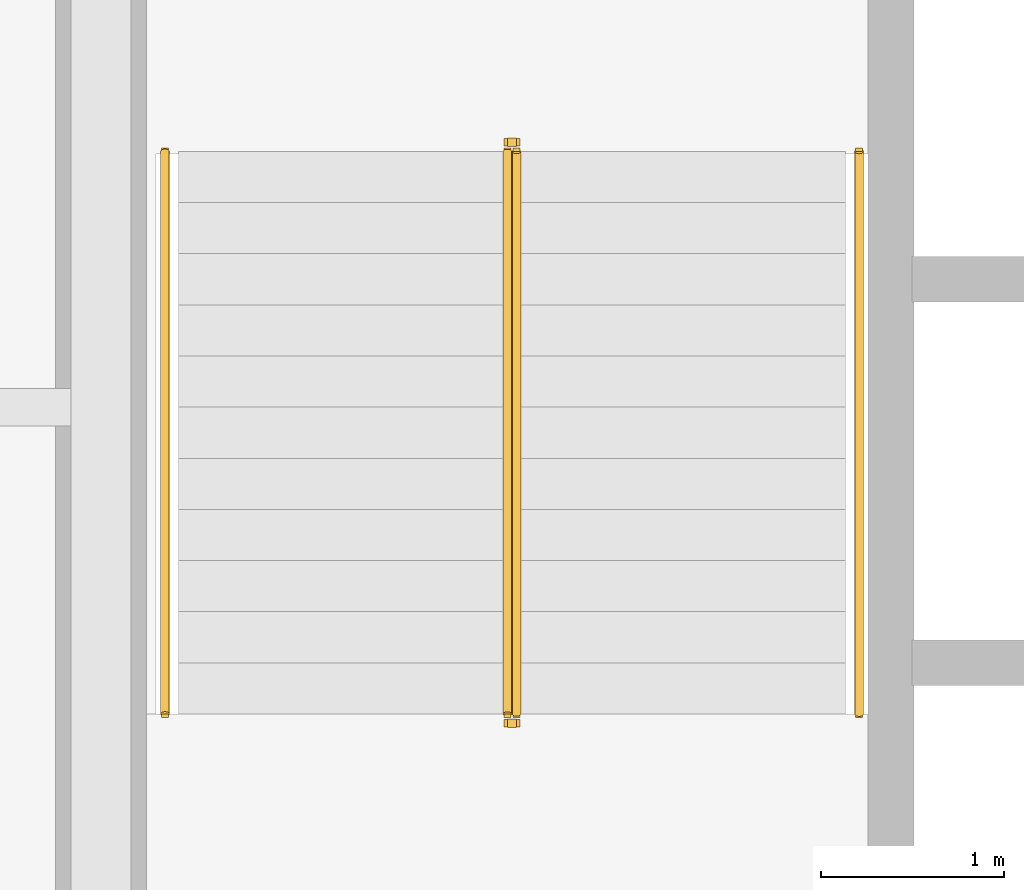
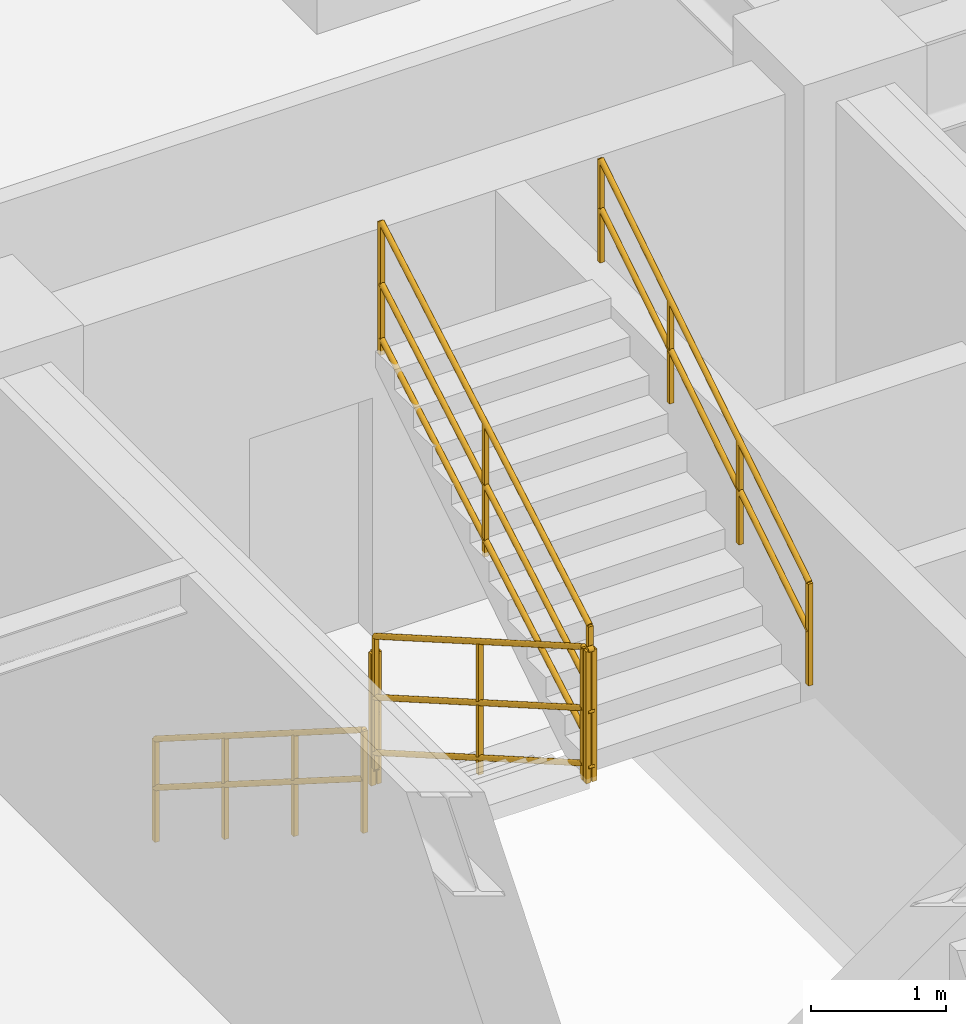
# One storey, part 10 of 10: 6 railings.
"""IFC4 building model written with IfcOpenShell, lengths in metres."""

from ifc_helpers import new_model, entity, si_unit, converted_unit, direction, frame, origin_with_axes, origin_2d_with_axis, place, context, subcontext, project, spatial, rectangle, circle, extrude, material, type_object, element, save


model = new_model("IFC4")

# Units and contexts
model_context = context("Model", 3, precision=1e-05, world=origin_with_axes(), true_north=direction((0.0, 1.0)))
body_context = subcontext(model_context, "Body", "Model", "MODEL_VIEW")
ifc_project = project(units=[si_unit("LENGTHUNIT", "METRE"), si_unit("AREAUNIT", "SQUARE_METRE"), si_unit("VOLUMEUNIT", "CUBIC_METRE"), converted_unit("PLANEANGLEUNIT", "DEGREE", entity("IfcPlaneAngleMeasure", 0.017453292519943295), si_unit("PLANEANGLEUNIT", "RADIAN"), dimensions=[0, 0, 0, 0, 0, 0, 0]), si_unit("MASSUNIT", "GRAM", prefix="KILO"), si_unit("THERMODYNAMICTEMPERATUREUNIT", "KELVIN")], contexts=[model_context])

# Site, building, storey
site_placement = place(None, origin_with_axes())
site = spatial("IfcSite", under=ifc_project, at=site_placement, CompositionType="ELEMENT")
building_placement = place(site_placement, origin_with_axes())
building = spatial("IfcBuilding", under=site, at=building_placement, Name="Varnlund Millrace Tower", CompositionType="ELEMENT")
storey_placement = place(building_placement, frame((0.0, 0.0, 129.0), z_axis=(0.0, 0.0, 1.0), x_axis=(1.0, 0.0, 0.0)))
storey = spatial("IfcBuildingStorey", under=building, at=storey_placement, Name="L31", CompositionType="ELEMENT", Elevation=129.0)

# Railings
ifc_material_1 = material(Name="Painted steel stair well balustrade guard", Category="steel")
railing_type_1 = type_object("IfcRailingType", Name="Type-StairGuard-1150", PredefinedType="GUARDRAIL", material=ifc_material_1)
railing_1_placement = place(storey_placement, frame((0.0, 0.0, -129.0), z_axis=(0.0, 0.0, 1.0), x_axis=(1.0, 0.0, 0.0)))
element("IfcRailing", 1, at=railing_1_placement, inside=storey, type_object=railing_type_1, Name="Type-StairGuard-1150", PredefinedType="GUARDRAIL", context=body_context, shape_type="SweptSolid", body=[
    extrude(circle(Radius=0.024, at=origin_2d_with_axis()), frame((13.625, 35.9, 130.327273), z_axis=(0.0, -0.866696, 0.498836), x_axis=(1.0, 0.0, 0.0)), (0.0, 0.0, 1.0), 3.553725),
    extrude(circle(Radius=0.024, at=origin_2d_with_axis()), frame((13.625, 35.9, 129.277273), z_axis=(0.0, -0.866696, 0.498836), x_axis=(1.0, 0.0, 0.0)), (0.0, 0.0, 1.0), 3.553725),
    extrude(circle(Radius=0.024, at=origin_2d_with_axis()), frame((13.625, 35.9, 129.775273), z_axis=(0.0, -0.866696, 0.498836), x_axis=(1.0, 0.0, 0.0)), (0.0, 0.0, 1.0), 3.553725),
    extrude(rectangle(XDim=0.04, YDim=0.04, at=origin_2d_with_axis()), frame((13.625, 35.9, 129.137273), z_axis=(0.0, 0.0, 1.0), x_axis=(1.0, 0.0, 0.0)), (0.0, 0.0, 1.0), 1.19),
    extrude(rectangle(XDim=0.04, YDim=0.04, at=origin_2d_with_axis()), frame((13.625, 34.36, 130.023637), z_axis=(0.0, 0.0, 1.0), x_axis=(1.0, 0.0, 0.0)), (0.0, 0.0, 1.0), 1.19),
    extrude(rectangle(XDim=0.04, YDim=0.04, at=origin_2d_with_axis()), frame((13.625, 32.82, 130.91), z_axis=(0.0, 0.0, 1.0), x_axis=(1.0, 0.0, 0.0)), (0.0, 0.0, 1.0), 1.19),
])
railing_2_placement = place(storey_placement, frame((0.0, 0.0, -129.0), z_axis=(0.0, 0.0, 1.0), x_axis=(1.0, 0.0, 0.0)))
element("IfcRailing", 2, at=railing_2_placement, inside=storey, type_object=railing_type_1, Name="Type-StairGuard-1150", PredefinedType="GUARDRAIL", context=body_context, shape_type="SweptSolid", body=[
    extrude(circle(Radius=0.024, at=origin_2d_with_axis()), frame((13.675, 32.77, 132.1), z_axis=(-1.0, 0.0, 0.0), x_axis=(0.0, -1.0, 0.0)), (0.0, 0.0, 1.0), 0.05),
    extrude(circle(Radius=0.024, at=origin_2d_with_axis()), frame((13.675, 32.77, 131.05), z_axis=(-1.0, 0.0, 0.0), x_axis=(0.0, -1.0, 0.0)), (0.0, 0.0, 1.0), 0.05),
    extrude(circle(Radius=0.024, at=origin_2d_with_axis()), frame((13.675, 32.77, 131.548), z_axis=(-1.0, 0.0, 0.0), x_axis=(0.0, -1.0, 0.0)), (0.0, 0.0, 1.0), 0.05),
    extrude(rectangle(XDim=0.04, YDim=0.04, at=origin_2d_with_axis()), frame((13.675, 32.77, 130.91), z_axis=(0.0, 0.0, 1.0), x_axis=(1.0, 0.0, 0.0)), (0.0, 0.0, 1.0), 1.19),
    extrude(rectangle(XDim=0.04, YDim=0.04, at=origin_2d_with_axis()), frame((13.625, 32.77, 130.91), z_axis=(0.0, 0.0, 1.0), x_axis=(1.0, 0.0, 0.0)), (0.0, 0.0, 1.0), 1.19),
])
railing_3_placement = place(storey_placement, frame((0.0, 0.0, -129.0), z_axis=(0.0, 0.0, 1.0), x_axis=(1.0, 0.0, 0.0)))
element("IfcRailing", 3, at=railing_3_placement, inside=storey, type_object=railing_type_1, Name="Type-StairGuard-1150", PredefinedType="GUARDRAIL", context=body_context, shape_type="SweptSolid", body=[
    extrude(circle(Radius=0.024, at=origin_2d_with_axis()), frame((13.675, 32.82, 132.277273), z_axis=(0.0, 0.866696, 0.498836), x_axis=(-1.0, 0.0, 0.0)), (0.0, 0.0, 1.0), 3.553725),
    extrude(circle(Radius=0.024, at=origin_2d_with_axis()), frame((13.675, 32.82, 131.227273), z_axis=(0.0, 0.866696, 0.498836), x_axis=(-1.0, 0.0, 0.0)), (0.0, 0.0, 1.0), 3.553725),
    extrude(circle(Radius=0.024, at=origin_2d_with_axis()), frame((13.675, 32.82, 131.725273), z_axis=(0.0, 0.866696, 0.498836), x_axis=(-1.0, 0.0, 0.0)), (0.0, 0.0, 1.0), 3.553725),
    extrude(rectangle(XDim=0.04, YDim=0.04, at=origin_2d_with_axis()), frame((13.675, 32.82, 131.087273), z_axis=(0.0, 0.0, 1.0), x_axis=(1.0, 0.0, 0.0)), (0.0, 0.0, 1.0), 1.19),
    extrude(rectangle(XDim=0.04, YDim=0.04, at=origin_2d_with_axis()), frame((13.675, 34.36, 131.973637), z_axis=(0.0, 0.0, 1.0), x_axis=(1.0, 0.0, 0.0)), (0.0, 0.0, 1.0), 1.19),
    extrude(rectangle(XDim=0.04, YDim=0.04, at=origin_2d_with_axis()), frame((13.675, 35.9, 132.86), z_axis=(0.0, 0.0, 1.0), x_axis=(1.0, 0.0, 0.0)), (0.0, 0.0, 1.0), 1.19),
])
railing_4_placement = place(storey_placement, frame((0.0, 0.0, -129.0), z_axis=(0.0, 0.0, 1.0), x_axis=(1.0, 0.0, 0.0)))
element("IfcRailing", 4, at=railing_4_placement, inside=storey, type_object=railing_type_1, Name="Type-StairGuard-1150", PredefinedType="GUARDRAIL", context=body_context, shape_type="SweptSolid", body=[
    extrude(circle(Radius=0.024, at=origin_2d_with_axis()), frame((13.675, 35.95, 130.15), z_axis=(-1.0, 0.0, 0.0), x_axis=(0.0, -1.0, 0.0)), (0.0, 0.0, 1.0), 0.05),
    extrude(circle(Radius=0.024, at=origin_2d_with_axis()), frame((13.675, 35.95, 129.1), z_axis=(-1.0, 0.0, 0.0), x_axis=(0.0, -1.0, 0.0)), (0.0, 0.0, 1.0), 0.05),
    extrude(circle(Radius=0.024, at=origin_2d_with_axis()), frame((13.675, 35.95, 129.598), z_axis=(-1.0, 0.0, 0.0), x_axis=(0.0, -1.0, 0.0)), (0.0, 0.0, 1.0), 0.05),
    extrude(rectangle(XDim=0.04, YDim=0.04, at=origin_2d_with_axis()), frame((13.675, 35.95, 128.96), z_axis=(0.0, 0.0, 1.0), x_axis=(1.0, 0.0, 0.0)), (0.0, 0.0, 1.0), 1.19),
    extrude(rectangle(XDim=0.04, YDim=0.04, at=origin_2d_with_axis()), frame((13.625, 35.95, 128.96), z_axis=(0.0, 0.0, 1.0), x_axis=(1.0, 0.0, 0.0)), (0.0, 0.0, 1.0), 1.19),
])
ifc_material_2 = material(Name="Brushed architectural bronze stair handrail", Category="aluminium")
railing_type_2 = type_object("IfcRailingType", Name="Type-StairHandrail-900", PredefinedType="HANDRAIL", material=ifc_material_2)
railing_5_placement = place(storey_placement, frame((0.0, 0.0, -129.0), z_axis=(0.0, 0.0, 1.0), x_axis=(1.0, 0.0, 0.0)))
element("IfcRailing", 5, at=railing_5_placement, inside=storey, type_object=railing_type_2, Name="Type-StairHandrail-900", PredefinedType="HANDRAIL", context=body_context, shape_type="SweptSolid", body=[
    extrude(circle(Radius=0.024, at=origin_2d_with_axis()), frame((11.75, 35.9, 130.056995), z_axis=(0.0, -0.844902, 0.534922), x_axis=(1.0, 0.0, 0.0)), (0.0, 0.0, 1.0), 3.645394),
    extrude(circle(Radius=0.024, at=origin_2d_with_axis()), frame((11.75, 35.9, 129.617134), z_axis=(0.0, -0.844902, 0.534922), x_axis=(1.0, 0.0, 0.0)), (0.0, 0.0, 1.0), 3.645394),
    extrude(rectangle(XDim=0.04, YDim=0.04, at=origin_2d_with_axis()), frame((11.75, 35.9, 129.137273), z_axis=(0.0, 0.0, 1.0), x_axis=(1.0, 0.0, 0.0)), (0.0, 0.0, 1.0), 0.919722),
    extrude(rectangle(XDim=0.04, YDim=0.04, at=origin_2d_with_axis()), frame((11.75, 34.873333, 129.787273), z_axis=(0.0, 0.0, 1.0), x_axis=(1.0, 0.0, 0.0)), (0.0, 0.0, 1.0), 0.919722),
    extrude(rectangle(XDim=0.04, YDim=0.04, at=origin_2d_with_axis()), frame((11.75, 33.846667, 130.437273), z_axis=(0.0, 0.0, 1.0), x_axis=(1.0, 0.0, 0.0)), (0.0, 0.0, 1.0), 0.919722),
    extrude(rectangle(XDim=0.04, YDim=0.04, at=origin_2d_with_axis()), frame((11.75, 32.82, 131.087273), z_axis=(0.0, 0.0, 1.0), x_axis=(1.0, 0.0, 0.0)), (0.0, 0.0, 1.0), 0.919722),
])
railing_6_placement = place(storey_placement, frame((0.0, 0.0, -129.0), z_axis=(0.0, 0.0, 1.0), x_axis=(1.0, 0.0, 0.0)))
element("IfcRailing", 6, at=railing_6_placement, inside=storey, type_object=railing_type_2, Name="Type-StairHandrail-900", PredefinedType="HANDRAIL", context=body_context, shape_type="SweptSolid", body=[
    extrude(circle(Radius=0.024, at=origin_2d_with_axis()), frame((15.55, 32.82, 132.006995), z_axis=(0.0, 0.844902, 0.534922), x_axis=(-1.0, 0.0, 0.0)), (0.0, 0.0, 1.0), 3.645394),
    extrude(circle(Radius=0.024, at=origin_2d_with_axis()), frame((15.55, 32.82, 131.567134), z_axis=(0.0, 0.844902, 0.534922), x_axis=(-1.0, 0.0, 0.0)), (0.0, 0.0, 1.0), 3.645394),
    extrude(rectangle(XDim=0.04, YDim=0.04, at=origin_2d_with_axis()), frame((15.55, 32.82, 131.087273), z_axis=(0.0, 0.0, 1.0), x_axis=(1.0, 0.0, 0.0)), (0.0, 0.0, 1.0), 0.919722),
    extrude(rectangle(XDim=0.04, YDim=0.04, at=origin_2d_with_axis()), frame((15.55, 33.846667, 131.737273), z_axis=(0.0, 0.0, 1.0), x_axis=(1.0, 0.0, 0.0)), (0.0, 0.0, 1.0), 0.919722),
    extrude(rectangle(XDim=0.04, YDim=0.04, at=origin_2d_with_axis()), frame((15.55, 34.873333, 132.387273), z_axis=(0.0, 0.0, 1.0), x_axis=(1.0, 0.0, 0.0)), (0.0, 0.0, 1.0), 0.919722),
    extrude(rectangle(XDim=0.04, YDim=0.04, at=origin_2d_with_axis()), frame((15.55, 35.9, 133.037273), z_axis=(0.0, 0.0, 1.0), x_axis=(1.0, 0.0, 0.0)), (0.0, 0.0, 1.0), 0.919722),
])

save(model, "model.ifc")
